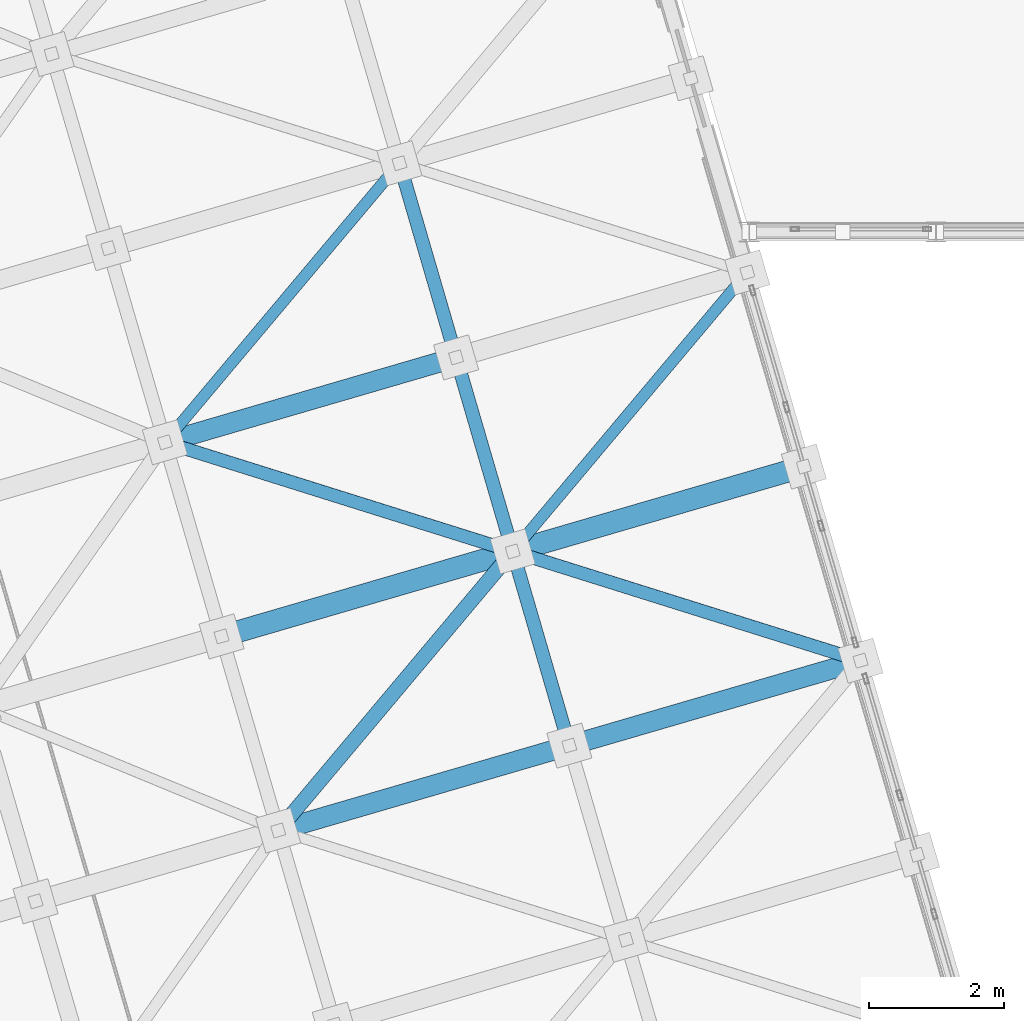
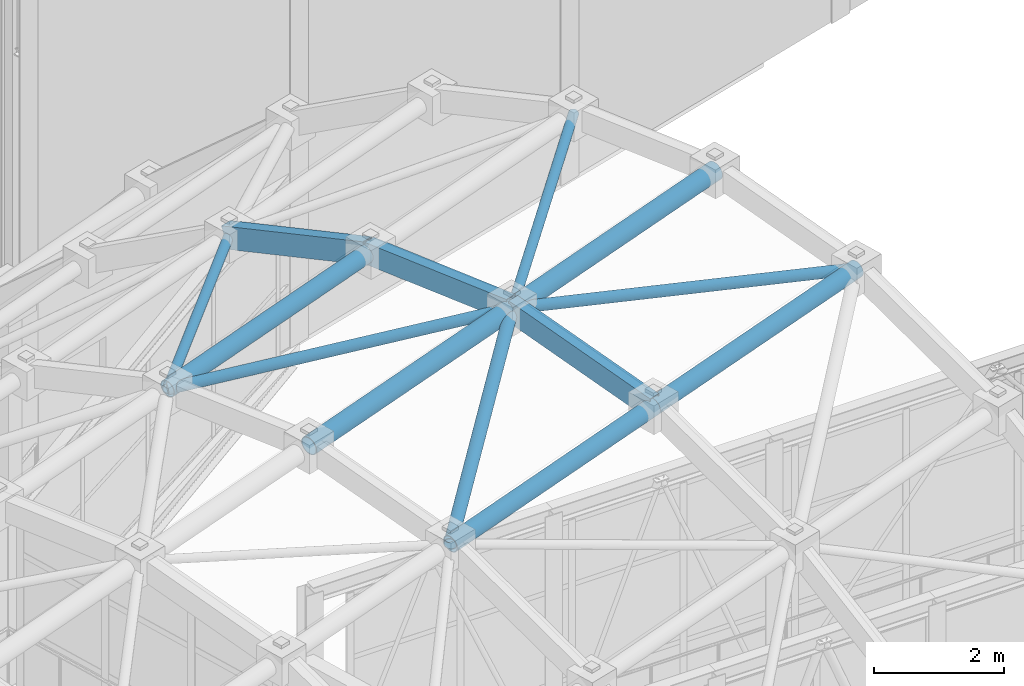
# One storey, part 79 of 248: 10 members, 3 beams.
"""IFC4 building model written with IfcOpenShell, lengths in metres."""

from ifc_helpers import new_model, si_unit, direction, frame, origin, origin_2d, place, context, subcontext, project, spatial, hollow_rectangle, hollow_circle, extrude, material, material_profile, profile_set, type_object, element, save


model = new_model("IFC4")

# Units and contexts
model_context = context("Model", 3, precision=1e-05, world=origin(), true_north=direction((0.0, 1.0)))
body_context = subcontext(model_context, "Body", "Model", "MODEL_VIEW")
ifc_project = project(units=[si_unit("LENGTHUNIT", "METRE"), si_unit("AREAUNIT", "SQUARE_METRE"), si_unit("VOLUMEUNIT", "CUBIC_METRE"), si_unit("PLANEANGLEUNIT", "RADIAN"), si_unit("MASSUNIT", "GRAM", prefix="KILO")], contexts=[model_context])

# Site, building, storey
site_placement = place(None, origin())
site = spatial("IfcSite", under=ifc_project, at=site_placement, CompositionType="ELEMENT")
building_placement = place(site_placement, origin())
building = spatial("IfcBuilding", under=site, at=building_placement, Name="Canggui Botanical Conservatory", CompositionType="ELEMENT")
storey_placement = place(building_placement, frame((0.0, 0.0, 5.39990234375)))
storey = spatial("IfcBuildingStorey", under=building, at=storey_placement, Name="L02", CompositionType="ELEMENT", Elevation=5.39990234375)

# Beams
ifc_material = material(Name="Steel Q355C", Category="steel")
ifc_material_profile_1 = material_profile(ifc_material, hollow_rectangle(XDim=0.199951171875, YDim=0.39990234375, WallThickness=0.011962890625, at=origin_2d()), Name="RHS 200x400x12")
ifc_profile_set_1 = profile_set([ifc_material_profile_1], Name="Steel Q355C")
beam_type = type_object("IfcBeamType", Name="BM-GJ04", PredefinedType="BEAM", material=ifc_profile_set_1)
for number, where, z_axis, x_axis, name in (
    (1, (64.159912109375, 67.3798828125, 16.1162109375), (-0.27767772743, 0.952257020491, 0.126892263814), (-0.960017315421, -0.279940626011, 0.0), "Conservatory Stepped-Arch Rib GJ-14 Segment 5"),
    (2, (63.320068359375, 70.260009765625, 16.5), (-0.277773571689, 0.952228146367, -0.126899173117), (-0.959989061447, -0.280037500885, 0.0), "Conservatory Stepped-Arch Rib GJ-14 Segment 6"),
):
    element("IfcBeam", number, at=place(storey_placement, frame(where, z_axis=z_axis, x_axis=x_axis)), inside=storey, type_object=beam_type, Name=name, PredefinedType="BEAM", context=body_context, shape_type="SweptSolid", body=[
        extrude(hollow_rectangle(XDim=0.199951171875, YDim=0.39990234375, WallThickness=0.011962890625, at=origin_2d()), origin(), (0.0, 0.0, 1.0), 3.0244140625),
    ])
beam_placement = place(storey_placement, frame((62.47998046875, 73.139892578125, 16.1162109375), z_axis=(-0.261403948618, 0.896187847093, -0.358490332324), x_axis=(-0.959995442804, -0.2800156242, 0.0)))
element("IfcBeam", 3, at=beam_placement, inside=storey, type_object=beam_type, Name="Conservatory Stepped-Arch Rib GJ-14 Segment 7", PredefinedType="BEAM", context=body_context, shape_type="SweptSolid", body=[
    extrude(hollow_rectangle(XDim=0.199951171875, YDim=0.39990234375, WallThickness=0.011962890625, at=origin_2d()), origin(), (0.0, 0.0, 1.0), 3.2138671875),
])

# Members
ifc_material_profile_2 = material_profile(ifc_material, hollow_circle(Radius=0.16259765625, WallThickness=0.011962890625, at=origin_2d()), Name="CHS 325x12")
ifc_profile_set_2 = profile_set([ifc_material_profile_2], Name="Steel Q355C")
member_type_1 = type_object("IfcMemberType", Name="MEM-GSC01", PredefinedType="CHORD", material=ifc_profile_set_2)
member_1_placement = place(storey_placement, frame((59.0, 69.0, 16.2001953125), z_axis=(0.957877180601, 0.279378588815, 0.066474889956), x_axis=(-0.279997916698, 0.960000607627, 0.0)))
element("IfcMember", 4, at=member_1_placement, inside=storey, type_object=member_type_1, Name="Conservatory Gridshell Longitudinal Chord 13-5", PredefinedType="CHORD", context=body_context, shape_type="SweptSolid", body=[
    extrude(hollow_circle(Radius=0.16259765625, WallThickness=0.011962890625, at=origin_2d()), origin(), (0.0, 0.0, 1.0), 4.510009765625),
])
member_2_placement = place(storey_placement, frame((63.320068359375, 70.260009765625, 16.5), z_axis=(0.957869267253, 0.279392070097, 0.066532232929), x_axis=(-0.280012500437, 0.959996353951, 0.0)))
element("IfcMember", 5, at=member_2_placement, inside=storey, type_object=member_type_1, Name="Conservatory Gridshell Longitudinal Chord 14-5", PredefinedType="CHORD", context=body_context, shape_type="SweptSolid", body=[
    extrude(hollow_circle(Radius=0.16259765625, WallThickness=0.011962890625, at=origin_2d()), origin(), (0.0, 0.0, 1.0), 4.509765625),
])
ifc_material_profile_3 = material_profile(ifc_material, hollow_circle(Radius=0.1494140625, WallThickness=0.011962890625, at=origin_2d()), Name="CHS 299x12")
ifc_profile_set_3 = profile_set([ifc_material_profile_3], Name="Steel Q355C")
member_type_2 = type_object("IfcMemberType", Name="MEM-GSC02", PredefinedType="CHORD", material=ifc_profile_set_3)
member_3_placement = place(storey_placement, frame((59.840087890625, 66.1201171875, 15.816162109375), z_axis=(0.957883753915, 0.2793421595, 0.066533239152), x_axis=(-0.279962497833, 0.960010937337, 0.0)))
element("IfcMember", 6, at=member_3_placement, inside=storey, type_object=member_type_2, Name="Conservatory Gridshell Longitudinal Chord 13-4", PredefinedType="CHORD", context=body_context, shape_type="SweptSolid", body=[
    extrude(hollow_circle(Radius=0.1494140625, WallThickness=0.011962890625, at=origin_2d()), origin(), (0.0, 0.0, 1.0), 4.509765625),
])
for number, where, z_axis, x_axis, name in (
    (7, (58.159912109375, 71.8798828125, 15.816162109375), (0.957873732332, 0.279377583078, 0.066528783105), (-0.279997916698, 0.960000607627, 0.0), "Conservatory Gridshell Longitudinal Chord 13-6"),
    (8, (64.159912109375, 67.3798828125, 16.1162109375), (0.957877180601, 0.279378588815, 0.066474889956), (-0.279997916698, 0.960000607627, 0.0), "Conservatory Gridshell Longitudinal Chord 14-4"),
):
    element("IfcMember", number, at=place(storey_placement, frame(where, z_axis=z_axis, x_axis=x_axis)), inside=storey, type_object=member_type_2, Name=name, PredefinedType="CHORD", context=body_context, shape_type="SweptSolid", body=[
        extrude(hollow_circle(Radius=0.1494140625, WallThickness=0.011962890625, at=origin_2d()), origin(), (0.0, 0.0, 1.0), 4.510009765625),
    ])
ifc_material_profile_4 = material_profile(ifc_material, hollow_circle(Radius=0.109619140625, WallThickness=0.008056640625, at=origin_2d()), Name="CHS 219x8")
ifc_profile_set_4 = profile_set([ifc_material_profile_4], Name="Steel Q355C")
member_type_3 = type_object("IfcMemberType", Name="MEM-GSD01", PredefinedType="RAFTER", material=ifc_profile_set_4)
member_4_placement = place(storey_placement, frame((59.840087890625, 66.1201171875, 15.816162109375), z_axis=(0.638376927767, 0.759432970685, 0.125445052243), x_axis=(-0.765479825805, 0.643459894853, 0.0)))
element("IfcMember", 9, at=member_4_placement, inside=storey, type_object=member_type_3, Name="Conservatory Gridshell Diagrid Rafter 13-5", PredefinedType="RAFTER", context=body_context, shape_type="SweptSolid", body=[
    extrude(hollow_circle(Radius=0.109619140625, WallThickness=0.008056640625, at=origin_2d()), origin(), (0.0, 0.0, 1.0), 5.451416015625),
])
ifc_material_profile_5 = material_profile(ifc_material, hollow_circle(Radius=0.096923828125, WallThickness=0.008056640625, at=origin_2d()), Name="CHS 194x8")
ifc_profile_set_5 = profile_set([ifc_material_profile_5], Name="Steel Q355C")
member_type_4 = type_object("IfcMemberType", Name="MEM-GSD02", PredefinedType="RAFTER", material=ifc_profile_set_5)
member_5_placement = place(storey_placement, frame((58.159912109375, 71.8798828125, 15.816162109375), z_axis=(0.946557407413, -0.297142713767, 0.125440352865), x_axis=(0.299508482413, 0.954093637419, 0.0)))
element("IfcMember", 10, at=member_5_placement, inside=storey, type_object=member_type_4, Name="Conservatory Gridshell Diagrid Rafter 13-6", PredefinedType="RAFTER", context=body_context, shape_type="SweptSolid", body=[
    extrude(hollow_circle(Radius=0.096923828125, WallThickness=0.008056640625, at=origin_2d()), origin(), (0.0, 0.0, 1.0), 5.451416015625),
])
member_6_placement = place(storey_placement, frame((63.320068359375, 70.260009765625, 16.5), z_axis=(0.953961671873, -0.299526361701, -0.015526984392), x_axis=(0.299562474223, 0.954076686665, 0.0)))
element("IfcMember", 11, at=member_6_placement, inside=storey, type_object=member_type_4, Name="Conservatory Gridshell Diagrid Rafter 14-5", PredefinedType="RAFTER", context=body_context, shape_type="SweptSolid", body=[
    extrude(hollow_circle(Radius=0.096923828125, WallThickness=0.008056640625, at=origin_2d()), origin(), (0.0, 0.0, 1.0), 5.408935546875),
])
ifc_material_profile_6 = material_profile(ifc_material, hollow_circle(Radius=0.083984375, WallThickness=0.008056640625, at=origin_2d()), Name="CHS 168x8")
ifc_profile_set_6 = profile_set([ifc_material_profile_6], Name="Steel Q355C")
member_type_5 = type_object("IfcMemberType", Name="MEM-GSD03", PredefinedType="RAFTER", material=ifc_profile_set_6)
member_7_placement = place(storey_placement, frame((58.159912109375, 71.8798828125, 15.816162109375), z_axis=(0.635598435098, 0.756172180608, -0.155622178932), x_axis=(-0.765498515628, 0.643437660206, 0.0)))
element("IfcMember", 12, at=member_7_placement, inside=storey, type_object=member_type_5, Name="Conservatory Gridshell Diagrid Rafter 13-7", PredefinedType="RAFTER", context=body_context, shape_type="SweptSolid", body=[
    extrude(hollow_circle(Radius=0.083984375, WallThickness=0.008056640625, at=origin_2d()), origin(), (0.0, 0.0, 1.0), 5.47509765625),
])
member_8_placement = place(storey_placement, frame((63.320068359375, 70.260009765625, 16.5), z_axis=(0.643382323871, 0.765387544961, -0.015527116558), x_axis=(-0.765479825805, 0.643459894853, 0.0)))
element("IfcMember", 13, at=member_8_placement, inside=storey, type_object=member_type_5, Name="Conservatory Gridshell Diagrid Rafter 14-6", PredefinedType="RAFTER", context=body_context, shape_type="SweptSolid", body=[
    extrude(hollow_circle(Radius=0.083984375, WallThickness=0.008056640625, at=origin_2d()), origin(), (0.0, 0.0, 1.0), 5.408935546875),
])

save(model, "model.ifc")
